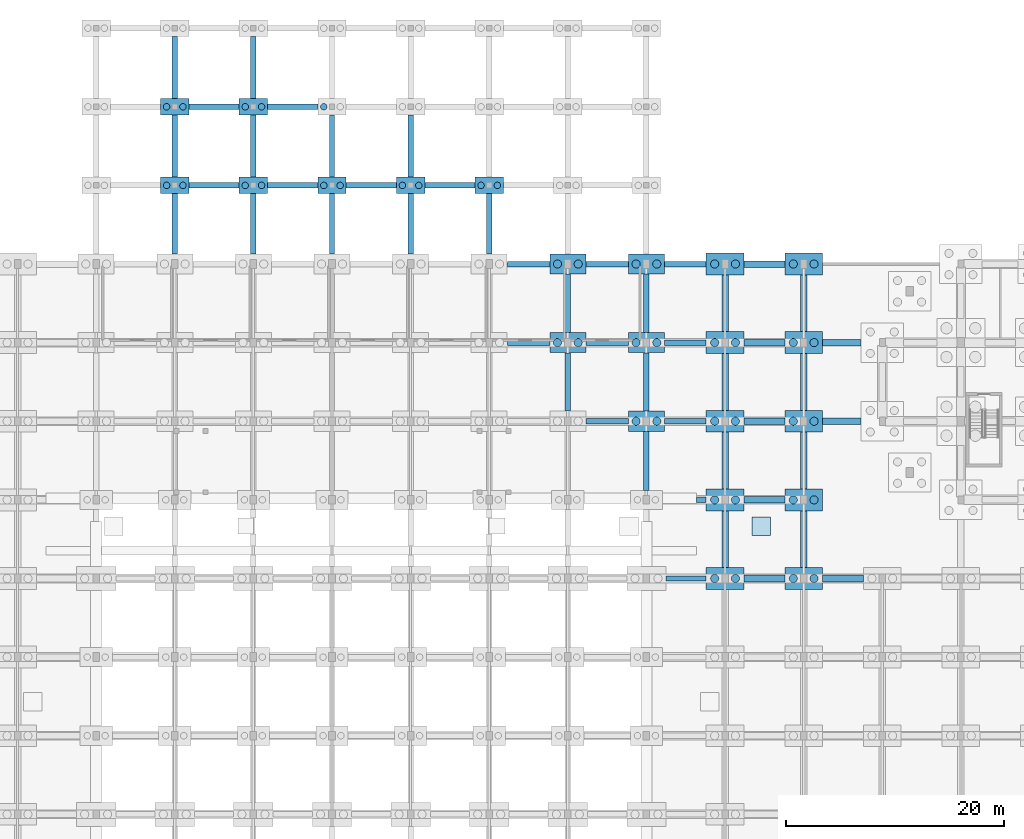
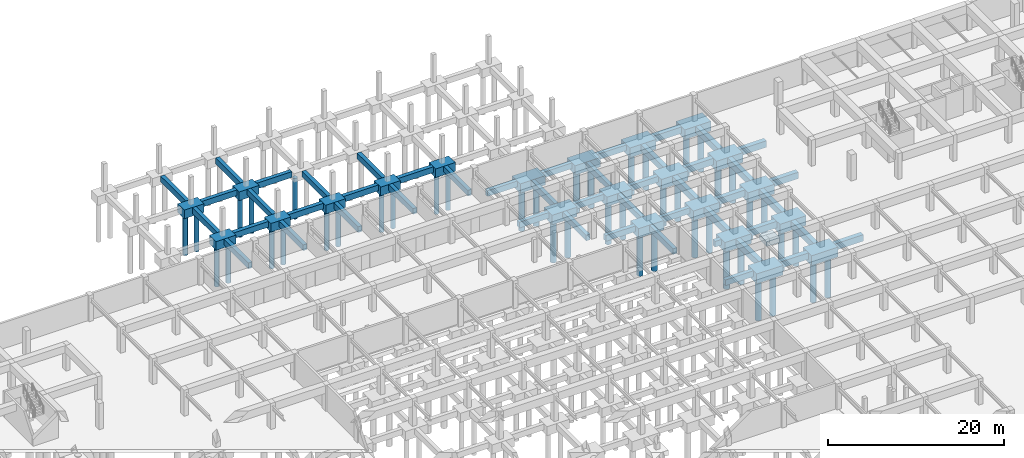
# One storey, part 11 of 36: 71 footings, 45 piles.
"""IFC4 building model written with IfcOpenShell, lengths in metres."""

import ifcopenshell
import ifcopenshell.guid

model = None  # the IFC model being written
_history = None  # IfcOwnerHistory: only IFC2X3 demands one
_inside = {}  # id of a spatial element -> (the spatial element, [elements in it])
_under = {}  # id of a project, library or spatial element -> (it, [spatial elements below it])
_declared = {}  # id of a project -> (the project, [libraries it declares])
_typed = {}  # id of a type object -> (the type object, [elements of that type])
_made_of = {}  # id of a material, layer set ... -> (it, [elements and type objects made of it])


def new_model(schema):
    """Start an empty IFC model of exactly this schema.

    Asked for "IFC4X3", IfcOpenShell would pick the latest addendum, in which some entities
    have other attributes; the version numbers below select the first issue.
    IFC2X3 requires an IfcOwnerHistory on every rooted entity: one is made here for all.
    """
    global model, _history
    if schema == "IFC4X3":
        model = ifcopenshell.file(schema_version=(4, 3, 0, 0))
    else:
        model = ifcopenshell.file(schema=schema)
    _inside.clear()
    _under.clear()
    _declared.clear()
    _typed.clear()
    _made_of.clear()
    _history = None
    if model.schema == "IFC2X3":
        org = make("IfcOrganization", Name="unknown")
        user = make(
            "IfcPersonAndOrganization",
            ThePerson=make("IfcPerson", FamilyName="unknown"),
            TheOrganization=org,
        )
        app = make(
            "IfcApplication",
            ApplicationDeveloper=org,
            Version="unknown",
            ApplicationFullName="unknown",
            ApplicationIdentifier="unknown",
        )
        _history = make(
            "IfcOwnerHistory",
            OwningUser=user,
            OwningApplication=app,
            ChangeAction="ADDED",
            CreationDate=0,
        )
    return model


def make(cls, **values):
    """One entity of the class cls with the attributes given. An attribute that is None is left unset."""
    return model.create_entity(
        cls, **{name: value for name, value in values.items() if value is not None}
    )


def rooted(cls, **values):
    """An entity with a GlobalId (a new one), such as an element, a storey or a relation."""
    return make(cls, GlobalId=ifcopenshell.guid.new(), OwnerHistory=_history, **values)


def si_unit(unit_type, name, prefix=None):
    """IfcSIUnit, for example si_unit("LENGTHUNIT", "METRE", prefix="MILLI")."""
    return make("IfcSIUnit", UnitType=unit_type, Prefix=prefix, Name=name)


def assignment(units):
    """IfcUnitAssignment: the units of a project."""
    return None if units is None else make("IfcUnitAssignment", Units=units)


def point(xyz):
    """IfcCartesianPoint."""
    return None if xyz is None else make("IfcCartesianPoint", Coordinates=xyz)


def direction(xyz):
    """IfcDirection."""
    return None if xyz is None else make("IfcDirection", DirectionRatios=xyz)


def frame(location, z_axis=None, x_axis=None):
    """IfcAxis2Placement3D, a coordinate frame: its origin and axes. An axis left out is left unset."""
    return make(
        "IfcAxis2Placement3D",
        Location=point(location),
        Axis=direction(z_axis),
        RefDirection=direction(x_axis),
    )


def frame_2d(location, x_axis=None):
    """IfcAxis2Placement2D, a coordinate frame in the plane: its origin and x axis."""
    return make(
        "IfcAxis2Placement2D", Location=point(location), RefDirection=direction(x_axis)
    )


def origin():
    """The frame at (0, 0, 0) with its axes left unset."""
    return frame((0.0, 0.0, 0.0))


def origin_2d():
    """The frame at (0, 0) in the plane with its x axis left unset."""
    return frame_2d((0.0, 0.0))


def place(relative_to, where):
    """IfcLocalPlacement: puts the frame where relative to a parent placement (None: the world)."""
    return make(
        "IfcLocalPlacement", PlacementRelTo=relative_to, RelativePlacement=where
    )


def context(
    kind, dimensions, precision=None, world=None, true_north=None, identifier=None
):
    """IfcGeometricRepresentationContext, for example the 3D "Model" context."""
    return make(
        "IfcGeometricRepresentationContext",
        ContextIdentifier=identifier,
        ContextType=kind,
        CoordinateSpaceDimension=dimensions,
        Precision=precision,
        WorldCoordinateSystem=world,
        TrueNorth=true_north,
    )


def subcontext(parent, identifier, kind, view, scale=None):
    """IfcGeometricRepresentationSubContext, for example "Body" below "Model"."""
    return make(
        "IfcGeometricRepresentationSubContext",
        ContextIdentifier=identifier,
        ContextType=kind,
        ParentContext=parent,
        TargetScale=scale,
        TargetView=view,
    )


def project(units=None, contexts=None):
    """IfcProject with its units and contexts."""
    return rooted(
        "IfcProject",
        Name="project",
        RepresentationContexts=contexts,
        UnitsInContext=assignment(units),
    )


def spatial(cls, under=None, at=None, **own):
    """A site, building, storey or space (cls), placed at a placement, below another one or the project."""
    s = rooted(cls, ObjectPlacement=at, **own)
    if under is not None:
        _under.setdefault(under.id(), (under, []))[1].append(s)
    return s


def profile(cls, at=None, kind="AREA", **sizes):
    """A parametric profile (cls). Its sizes go by their IFC names, for example OverallWidth=200.0."""
    return make(cls, ProfileType=kind, Position=at, **sizes)


def rectangle(**sizes):
    """IfcRectangleProfileDef."""
    return profile("IfcRectangleProfileDef", **sizes)


def circle(**sizes):
    """IfcCircleProfileDef."""
    return profile("IfcCircleProfileDef", **sizes)


def extrude(swept, where, along, depth):
    """IfcExtrudedAreaSolid: the profile swept, set in the frame where, extruded along a direction by depth."""
    return make(
        "IfcExtrudedAreaSolid",
        SweptArea=swept,
        Position=where,
        ExtrudedDirection=direction(along),
        Depth=depth,
    )


def shape(context_of_items, identifier, shape_type, items):
    """IfcShapeRepresentation: the items that make up one representation, for example the "Body"."""
    return make(
        "IfcShapeRepresentation",
        ContextOfItems=context_of_items,
        RepresentationIdentifier=identifier,
        RepresentationType=shape_type,
        Items=items,
    )


def material(Name=None, Category=None):
    """IfcMaterial."""
    return make("IfcMaterial", Name=Name, Category=Category)


def material_profile(
    of_material, cross_section, Name=None, Category=None, Priority=None
):
    """IfcMaterialProfile: a cross section and its material."""
    return make(
        "IfcMaterialProfile",
        Name=Name,
        Material=of_material,
        Profile=cross_section,
        Priority=Priority,
        Category=Category,
    )


def profile_set(profiles, Name=None, composite=None):
    """IfcMaterialProfileSet."""
    return make(
        "IfcMaterialProfileSet",
        Name=Name,
        MaterialProfiles=profiles,
        CompositeProfile=composite,
    )


def made_of(thing, what):
    """Note that an element or type object is made of a material, layer set ...; save() writes the relation."""
    if what is not None:
        _made_of.setdefault(what.id(), (what, []))[1].append(thing)
    return thing


def type_object(cls, material=None, **own):
    """A type object (cls), such as IfcWallType, which elements share."""
    return made_of(rooted(cls, **own), material)


def element(
    cls,
    number,
    at=None,
    inside=None,
    cuts=None,
    type_object=None,
    material=None,
    context=None,
    identifier="Body",
    shape_type=None,
    held_by="IfcProductDefinitionShape",
    body=None,
    shapes=None,
    **own,
):
    """One element of the class cls, such as IfcWall. Its Tag is "e" and its number.

    at: its placement. inside: the storey or other place that contains it. cuts: it is an
    opening in that element (IfcRelVoidsElement). A single representation is given by context,
    identifier, shape_type and body (its items); several are given by shapes. held_by: the class
    of the entity that holds the representations. save() writes the other relations.
    """
    e = rooted(cls, Tag="e%d" % number, ObjectPlacement=at, **own)
    if body is not None:
        shapes = [shape(context, identifier, shape_type, body)]
    if shapes is not None:
        e.Representation = make(held_by, Representations=shapes)
    if inside is not None:
        _inside.setdefault(inside.id(), (inside, []))[1].append(e)
    if cuts is not None:
        rooted(
            "IfcRelVoidsElement", RelatingBuildingElement=cuts, RelatedOpeningElement=e
        )
    if type_object is not None:
        _typed.setdefault(type_object.id(), (type_object, []))[1].append(e)
    return made_of(e, material)


def aggregate(whole, parts):
    """IfcRelAggregates: a whole, such as a stair, and the parts it consists of."""
    return rooted("IfcRelAggregates", RelatingObject=whole, RelatedObjects=parts)


def save(model, path):
    """Write the relations noted so far, then the file.

    IfcRelAggregates (storeys below a building ...), IfcRelContainedInSpatialStructure (elements
    in a storey), IfcRelDefinesByType, IfcRelAssociatesMaterial and IfcRelDeclares: one each for
    every whole, place, type object, material and project.
    """
    for whole, parts in _under.values():
        aggregate(whole, parts)
    for where, things in _inside.values():
        rooted(
            "IfcRelContainedInSpatialStructure",
            RelatedElements=things,
            RelatingStructure=where,
        )
    for kind, things in _typed.values():
        rooted("IfcRelDefinesByType", RelatedObjects=things, RelatingType=kind)
    for what, things in _made_of.values():
        rooted("IfcRelAssociatesMaterial", RelatedObjects=things, RelatingMaterial=what)
    for by, libraries in _declared.values():
        rooted("IfcRelDeclares", RelatingContext=by, RelatedDefinitions=libraries)
    model.write(path)


model = new_model("IFC4")

# Units and contexts
model_context = context("Model", 3, precision=1e-05, world=origin(), true_north=direction((0.0, 1.0)))
body_context = subcontext(model_context, "Body", "Model", "MODEL_VIEW")
ifc_project = project(units=[si_unit("LENGTHUNIT", "METRE"), si_unit("AREAUNIT", "SQUARE_METRE"), si_unit("VOLUMEUNIT", "CUBIC_METRE"), si_unit("PLANEANGLEUNIT", "RADIAN"), si_unit("MASSUNIT", "GRAM", prefix="KILO")], contexts=[model_context])

# Site, building, storey
site_placement = place(None, origin())
site = spatial("IfcSite", under=ifc_project, at=site_placement, CompositionType="ELEMENT")
building_placement = place(site_placement, origin())
building = spatial("IfcBuilding", under=site, at=building_placement, Name="Ochrevale Crest", CompositionType="ELEMENT")
storey_placement = place(building_placement, frame((0.0, 0.0, -3.60009765625)))
storey = spatial("IfcBuildingStorey", under=building, at=storey_placement, Name="B1", CompositionType="ELEMENT", Elevation=-3.60009765625)

# Footings
ifc_material = material(Name="Concrete C40/50", Category="concrete")
footing_type_1 = type_object("IfcFootingType", Name="CAP-PC12", PredefinedType="PILE_CAP", material=ifc_material)
for number, where, z_axis, x_axis, name in (
    (1, (115.199951171875, 64.800048828125, -1.60986328125), (0.0, 0.0, 1.0), (1.0, 0.0, 0.0), "Pile cap PC12-235"),
    (2, (115.199951171875, 72.0, -1.60986328125), (0.0, 0.0, 1.0), (1.0, 0.0, 0.0), "Pile cap PC12-236"),
    (3, (115.199951171875, 79.199951171875, -1.60986328125), (0.0, 0.0, 1.0), (1.0, 0.0, 0.0), "Pile cap PC12-237"),
    (4, (115.199951171875, 86.39990234375, -1.60986328125), (0.0, 0.0, 1.0), (1.0, 0.0, 0.0), "Pile cap PC12-238"),
    (5, (115.199951171875, 93.60009765625, -1.60986328125), (0.0, 0.0, 1.0), (1.0, 0.0, 0.0), "Pile cap PC12-239"),
    (6, (122.39990234375, 64.800048828125, -1.60986328125), (0.0, 0.0, 1.0), (1.0, 0.0, 0.0), "Pile cap PC12-247"),
    (7, (122.39990234375, 72.0, -1.60986328125), (0.0, 0.0, 1.0), (1.0, 0.0, 0.0), "Pile cap PC12-248"),
    (8, (122.39990234375, 79.199951171875, -1.60986328125), (0.0, 0.0, 1.0), (1.0, 0.0, 0.0), "Pile cap PC12-249"),
    (9, (122.39990234375, 86.39990234375, -1.60986328125), (0.0, 0.0, 1.0), (1.0, 0.0, 0.0), "Pile cap PC12-250"),
    (10, (122.39990234375, 93.60009765625, -1.60986328125), (0.0, 0.0, 1.0), (1.0, 0.0, 0.0), "Pile cap PC12-251"),
):
    element("IfcFooting", number, at=place(storey_placement, frame(where, z_axis=z_axis, x_axis=x_axis)), inside=storey, type_object=footing_type_1, Name=name, PredefinedType="PILE_CAP", context=body_context, shape_type="SweptSolid", body=[
        extrude(rectangle(XDim=3.449951171875, YDim=2.0, at=origin_2d()), origin(), (0.0, 0.0, 1.0), 1.35009765625),
    ])
footing_type_2 = type_object("IfcFootingType", Name="CAP-PC13", PredefinedType="PILE_CAP", material=ifc_material)
for number, where, z_axis, x_axis, name in (
    (11, (100.800048828125, 86.39990234375, -1.56005859375), (0.0, 0.0, 1.0), (1.0, 0.0, 0.0), "Pile cap PC13-207"),
    (12, (100.800048828125, 93.60009765625, -1.56005859375), (0.0, 0.0, 1.0), (1.0, 0.0, 0.0), "Pile cap PC13-208"),
    (13, (108.0, 79.199951171875, -1.56005859375), (0.0, 0.0, 1.0), (1.0, 0.0, 0.0), "Pile cap PC13-222"),
    (14, (108.0, 86.39990234375, -1.56005859375), (0.0, 0.0, 1.0), (1.0, 0.0, 0.0), "Pile cap PC13-223"),
    (15, (108.0, 93.60009765625, -1.56005859375), (0.0, 0.0, 1.0), (1.0, 0.0, 0.0), "Pile cap PC13-224"),
):
    element("IfcFooting", number, at=place(storey_placement, frame(where, z_axis=z_axis, x_axis=x_axis)), inside=storey, type_object=footing_type_2, Name=name, PredefinedType="PILE_CAP", context=body_context, shape_type="SweptSolid", body=[
        extrude(rectangle(XDim=3.300048828125, YDim=1.85009765625, at=origin_2d()), origin(), (0.0, 0.0, 1.0), 1.300048828125),
    ])
footing_type_3 = type_object("IfcFootingType", Name="CAP-PC15", PredefinedType="PILE_CAP", material=ifc_material)
for number, where, z_axis, x_axis, name in (
    (16, (64.800048828125, 100.800048828125, -1.4599609375), (0.0, 0.0, 1.0), (1.0, 0.0, 0.0), "Pile cap PC15-127"),
    (17, (64.800048828125, 108.0, -1.4599609375), (0.0, 0.0, 1.0), (1.0, 0.0, 0.0), "Pile cap PC15-128"),
    (18, (72.0, 100.800048828125, -1.4599609375), (0.0, 0.0, 1.0), (1.0, 0.0, 0.0), "Pile cap PC15-143"),
    (19, (72.0, 108.0, -1.4599609375), (0.0, 0.0, 1.0), (1.0, 0.0, 0.0), "Pile cap PC15-144"),
    (20, (79.199951171875, 100.800048828125, -1.4599609375), (0.0, 0.0, 1.0), (1.0, 0.0, 0.0), "Pile cap PC15-160"),
    (21, (86.39990234375, 100.800048828125, -1.4599609375), (0.0, 0.0, 1.0), (1.0, 0.0, 0.0), "Pile cap PC15-177"),
    (22, (93.60009765625, 100.800048828125, -1.4599609375), (0.0, 0.0, 1.0), (1.0, 0.0, 0.0), "Pile cap PC15-193"),
):
    element("IfcFooting", number, at=place(storey_placement, frame(where, z_axis=z_axis, x_axis=x_axis)), inside=storey, type_object=footing_type_3, Name=name, PredefinedType="PILE_CAP", context=body_context, shape_type="SweptSolid", body=[
        extrude(rectangle(XDim=2.60009765625, YDim=1.5, at=origin_2d()), origin(), (0.0, 0.0, 1.0), 1.199951171875),
    ])
ifc_material_profile_1 = material_profile(ifc_material, rectangle(XDim=0.5, YDim=0.800048828125, at=origin_2d()), Name="GB 500x800")
ifc_profile_set_1 = profile_set([ifc_material_profile_1], Name="Concrete C40/50")
footing_type_4 = type_object("IfcFootingType", Name="FTG-GB500x800", PredefinedType="FOOTING_BEAM", material=ifc_profile_set_1)
footing_1_placement = place(storey_placement, frame((64.800048828125, 94.527099609375, -0.659912109375), z_axis=(0.0, 1.0, 0.0), x_axis=(-1.0, 0.0, 0.0)))
element("IfcFooting", 23, at=footing_1_placement, inside=storey, type_object=footing_type_4, Name="Foundation tie beam GB2-219", PredefinedType="FOOTING_BEAM", context=body_context, shape_type="SweptSolid", body=[
    extrude(rectangle(XDim=0.5, YDim=0.800048828125, at=origin_2d()), origin(), (0.0, 0.0, 1.0), 5.52099609375),
])
footing_2_placement = place(storey_placement, frame((66.10205078125, 100.800048828125, -0.659912109375), z_axis=(1.0, 0.0, 0.0), x_axis=(0.0, 1.0, 0.0)))
element("IfcFooting", 24, at=footing_2_placement, inside=storey, type_object=footing_type_4, Name="Foundation tie beam GB2-220", PredefinedType="FOOTING_BEAM", context=body_context, shape_type="SweptSolid", body=[
    extrude(rectangle(XDim=0.5, YDim=0.800048828125, at=origin_2d()), origin(), (0.0, 0.0, 1.0), 4.595947265625),
])
footing_3_placement = place(storey_placement, frame((64.800048828125, 101.552001953125, -0.659912109375), z_axis=(0.0, 1.0, 0.0), x_axis=(-1.0, 0.0, 0.0)))
element("IfcFooting", 25, at=footing_3_placement, inside=storey, type_object=footing_type_4, Name="Foundation tie beam GB2-221", PredefinedType="FOOTING_BEAM", context=body_context, shape_type="SweptSolid", body=[
    extrude(rectangle(XDim=0.5, YDim=0.800048828125, at=origin_2d()), origin(), (0.0, 0.0, 1.0), 5.696044921875),
])
footing_4_placement = place(storey_placement, frame((66.10205078125, 108.0, -0.659912109375), z_axis=(1.0, 0.0, 0.0), x_axis=(0.0, 1.0, 0.0)))
element("IfcFooting", 26, at=footing_4_placement, inside=storey, type_object=footing_type_4, Name="Foundation tie beam GB2-222", PredefinedType="FOOTING_BEAM", context=body_context, shape_type="SweptSolid", body=[
    extrude(rectangle(XDim=0.5, YDim=0.800048828125, at=origin_2d()), origin(), (0.0, 0.0, 1.0), 4.595947265625),
])
footing_5_placement = place(storey_placement, frame((64.800048828125, 108.751953125, -0.659912109375), z_axis=(0.0, 1.0, 0.0), x_axis=(-1.0, 0.0, 0.0)))
element("IfcFooting", 27, at=footing_5_placement, inside=storey, type_object=footing_type_4, Name="Foundation tie beam GB2-223", PredefinedType="FOOTING_BEAM", context=body_context, shape_type="SweptSolid", body=[
    extrude(rectangle(XDim=0.5, YDim=0.800048828125, at=origin_2d()), origin(), (0.0, 0.0, 1.0), 5.696044921875),
])
footing_6_placement = place(storey_placement, frame((72.0, 94.527099609375, -0.659912109375), z_axis=(0.0, 1.0, 0.0), x_axis=(-1.0, 0.0, 0.0)))
element("IfcFooting", 28, at=footing_6_placement, inside=storey, type_object=footing_type_4, Name="Foundation tie beam GB2-250", PredefinedType="FOOTING_BEAM", context=body_context, shape_type="SweptSolid", body=[
    extrude(rectangle(XDim=0.5, YDim=0.800048828125, at=origin_2d()), origin(), (0.0, 0.0, 1.0), 5.52099609375),
])
footing_7_placement = place(storey_placement, frame((73.302001953125, 100.800048828125, -0.659912109375), z_axis=(1.0, 0.0, 0.0), x_axis=(0.0, 1.0, 0.0)))
element("IfcFooting", 29, at=footing_7_placement, inside=storey, type_object=footing_type_4, Name="Foundation tie beam GB2-251", PredefinedType="FOOTING_BEAM", context=body_context, shape_type="SweptSolid", body=[
    extrude(rectangle(XDim=0.5, YDim=0.800048828125, at=origin_2d()), origin(), (0.0, 0.0, 1.0), 4.595947265625),
])
footing_8_placement = place(storey_placement, frame((72.0, 101.552001953125, -0.659912109375), z_axis=(0.0, 1.0, 0.0), x_axis=(-1.0, 0.0, 0.0)))
element("IfcFooting", 30, at=footing_8_placement, inside=storey, type_object=footing_type_4, Name="Foundation tie beam GB2-252", PredefinedType="FOOTING_BEAM", context=body_context, shape_type="SweptSolid", body=[
    extrude(rectangle(XDim=0.5, YDim=0.800048828125, at=origin_2d()), origin(), (0.0, 0.0, 1.0), 5.696044921875),
])
footing_9_placement = place(storey_placement, frame((73.302001953125, 108.0, -0.659912109375), z_axis=(1.0, 0.0, 0.0), x_axis=(0.0, 1.0, 0.0)))
element("IfcFooting", 31, at=footing_9_placement, inside=storey, type_object=footing_type_4, Name="Foundation tie beam GB2-253", PredefinedType="FOOTING_BEAM", context=body_context, shape_type="SweptSolid", body=[
    extrude(rectangle(XDim=0.5, YDim=0.800048828125, at=origin_2d()), origin(), (0.0, 0.0, 1.0), 4.595947265625),
])
footing_10_placement = place(storey_placement, frame((72.0, 108.751953125, -0.659912109375), z_axis=(0.0, 1.0, 0.0), x_axis=(-1.0, 0.0, 0.0)))
element("IfcFooting", 32, at=footing_10_placement, inside=storey, type_object=footing_type_4, Name="Foundation tie beam GB2-254", PredefinedType="FOOTING_BEAM", context=body_context, shape_type="SweptSolid", body=[
    extrude(rectangle(XDim=0.5, YDim=0.800048828125, at=origin_2d()), origin(), (0.0, 0.0, 1.0), 5.696044921875),
])
footing_11_placement = place(storey_placement, frame((79.199951171875, 94.527099609375, -0.659912109375), z_axis=(0.0, 1.0, 0.0), x_axis=(-1.0, 0.0, 0.0)))
element("IfcFooting", 33, at=footing_11_placement, inside=storey, type_object=footing_type_4, Name="Foundation tie beam GB2-283", PredefinedType="FOOTING_BEAM", context=body_context, shape_type="SweptSolid", body=[
    extrude(rectangle(XDim=0.5, YDim=0.800048828125, at=origin_2d()), origin(), (0.0, 0.0, 1.0), 5.52099609375),
])
footing_12_placement = place(storey_placement, frame((80.501953125, 100.800048828125, -0.659912109375), z_axis=(1.0, 0.0, 0.0), x_axis=(0.0, 1.0, 0.0)))
element("IfcFooting", 34, at=footing_12_placement, inside=storey, type_object=footing_type_4, Name="Foundation tie beam GB2-284", PredefinedType="FOOTING_BEAM", context=body_context, shape_type="SweptSolid", body=[
    extrude(rectangle(XDim=0.5, YDim=0.800048828125, at=origin_2d()), origin(), (0.0, 0.0, 1.0), 4.595947265625),
])
footing_13_placement = place(storey_placement, frame((79.199951171875, 101.552001953125, -0.659912109375), z_axis=(0.0, 1.0, 0.0), x_axis=(-1.0, 0.0, 0.0)))
element("IfcFooting", 35, at=footing_13_placement, inside=storey, type_object=footing_type_4, Name="Foundation tie beam GB2-285", PredefinedType="FOOTING_BEAM", context=body_context, shape_type="SweptSolid", body=[
    extrude(rectangle(XDim=0.5, YDim=0.800048828125, at=origin_2d()), origin(), (0.0, 0.0, 1.0), 5.696044921875),
])
footing_14_placement = place(storey_placement, frame((86.39990234375, 94.527099609375, -0.659912109375), z_axis=(0.0, 1.0, 0.0), x_axis=(-1.0, 0.0, 0.0)))
element("IfcFooting", 36, at=footing_14_placement, inside=storey, type_object=footing_type_4, Name="Foundation tie beam GB2-315", PredefinedType="FOOTING_BEAM", context=body_context, shape_type="SweptSolid", body=[
    extrude(rectangle(XDim=0.5, YDim=0.800048828125, at=origin_2d()), origin(), (0.0, 0.0, 1.0), 5.52099609375),
])
footing_15_placement = place(storey_placement, frame((87.701904296875, 100.800048828125, -0.659912109375), z_axis=(1.0, 0.0, 0.0), x_axis=(0.0, 1.0, 0.0)))
element("IfcFooting", 37, at=footing_15_placement, inside=storey, type_object=footing_type_4, Name="Foundation tie beam GB2-316", PredefinedType="FOOTING_BEAM", context=body_context, shape_type="SweptSolid", body=[
    extrude(rectangle(XDim=0.5, YDim=0.800048828125, at=origin_2d()), origin(), (0.0, 0.0, 1.0), 4.59619140625),
])
footing_16_placement = place(storey_placement, frame((86.39990234375, 101.552001953125, -0.659912109375), z_axis=(0.0, 1.0, 0.0), x_axis=(-1.0, 0.0, 0.0)))
element("IfcFooting", 38, at=footing_16_placement, inside=storey, type_object=footing_type_4, Name="Foundation tie beam GB2-317", PredefinedType="FOOTING_BEAM", context=body_context, shape_type="SweptSolid", body=[
    extrude(rectangle(XDim=0.5, YDim=0.800048828125, at=origin_2d()), origin(), (0.0, 0.0, 1.0), 5.696044921875),
])
for number, where, z_axis, x_axis, name in (
    (39, (95.251953125, 86.39990234375, -0.659912109375), (1.0, 0.0, 0.0), (0.0, 1.0, 0.0), "Foundation tie beam GB2-343"),
    (40, (95.251953125, 93.60009765625, -0.659912109375), (1.0, 0.0, 0.0), (0.0, 1.0, 0.0), "Foundation tie beam GB2-345"),
):
    element("IfcFooting", number, at=place(storey_placement, frame(where, z_axis=z_axis, x_axis=x_axis)), inside=storey, type_object=footing_type_4, Name=name, PredefinedType="FOOTING_BEAM", context=body_context, shape_type="SweptSolid", body=[
        extrude(rectangle(XDim=0.5, YDim=0.800048828125, at=origin_2d()), origin(), (0.0, 0.0, 1.0), 3.89599609375),
    ])
footing_17_placement = place(storey_placement, frame((93.60009765625, 94.527099609375, -0.659912109375), z_axis=(0.0, 1.0, 0.0), x_axis=(-1.0, 0.0, 0.0)))
element("IfcFooting", 41, at=footing_17_placement, inside=storey, type_object=footing_type_4, Name="Foundation tie beam GB2-346", PredefinedType="FOOTING_BEAM", context=body_context, shape_type="SweptSolid", body=[
    extrude(rectangle(XDim=0.5, YDim=0.800048828125, at=origin_2d()), origin(), (0.0, 0.0, 1.0), 5.52099609375),
])
footing_18_placement = place(storey_placement, frame((102.451904296875, 79.199951171875, -0.659912109375), z_axis=(1.0, 0.0, 0.0), x_axis=(0.0, 1.0, 0.0)))
element("IfcFooting", 42, at=footing_18_placement, inside=storey, type_object=footing_type_4, Name="Foundation tie beam GB2-372", PredefinedType="FOOTING_BEAM", context=body_context, shape_type="SweptSolid", body=[
    extrude(rectangle(XDim=0.5, YDim=0.800048828125, at=origin_2d()), origin(), (0.0, 0.0, 1.0), 3.89599609375),
])
footing_19_placement = place(storey_placement, frame((100.800048828125, 80.126953125, -0.659912109375), z_axis=(0.0, 1.0, 0.0), x_axis=(-1.0, 0.0, 0.0)))
element("IfcFooting", 43, at=footing_19_placement, inside=storey, type_object=footing_type_4, Name="Foundation tie beam GB2-373", PredefinedType="FOOTING_BEAM", context=body_context, shape_type="SweptSolid", body=[
    extrude(rectangle(XDim=0.5, YDim=0.800048828125, at=origin_2d()), origin(), (0.0, 0.0, 1.0), 5.345947265625),
])
footing_20_placement = place(storey_placement, frame((102.451904296875, 86.39990234375, -0.659912109375), z_axis=(1.0, 0.0, 0.0), x_axis=(0.0, 1.0, 0.0)))
element("IfcFooting", 44, at=footing_20_placement, inside=storey, type_object=footing_type_4, Name="Foundation tie beam GB2-374", PredefinedType="FOOTING_BEAM", context=body_context, shape_type="SweptSolid", body=[
    extrude(rectangle(XDim=0.5, YDim=0.800048828125, at=origin_2d()), origin(), (0.0, 0.0, 1.0), 3.89599609375),
])
footing_21_placement = place(storey_placement, frame((100.800048828125, 87.326904296875, -0.659912109375), z_axis=(0.0, 1.0, 0.0), x_axis=(-1.0, 0.0, 0.0)))
element("IfcFooting", 45, at=footing_21_placement, inside=storey, type_object=footing_type_4, Name="Foundation tie beam GB2-375", PredefinedType="FOOTING_BEAM", context=body_context, shape_type="SweptSolid", body=[
    extrude(rectangle(XDim=0.5, YDim=0.800048828125, at=origin_2d()), origin(), (0.0, 0.0, 1.0), 5.34619140625),
])
footing_22_placement = place(storey_placement, frame((102.451904296875, 93.60009765625, -0.659912109375), z_axis=(1.0, 0.0, 0.0), x_axis=(0.0, 1.0, 0.0)))
element("IfcFooting", 46, at=footing_22_placement, inside=storey, type_object=footing_type_4, Name="Foundation tie beam GB2-376", PredefinedType="FOOTING_BEAM", context=body_context, shape_type="SweptSolid", body=[
    extrude(rectangle(XDim=0.5, YDim=0.800048828125, at=origin_2d()), origin(), (0.0, 0.0, 1.0), 3.89599609375),
])
footing_23_placement = place(storey_placement, frame((109.802001953125, 64.800048828125, -0.659912109375), z_axis=(1.0, 0.0, 0.0), x_axis=(0.0, 1.0, 0.0)))
element("IfcFooting", 47, at=footing_23_placement, inside=storey, type_object=footing_type_4, Name="Foundation tie beam GB2-398", PredefinedType="FOOTING_BEAM", context=body_context, shape_type="SweptSolid", body=[
    extrude(rectangle(XDim=0.5, YDim=0.800048828125, at=origin_2d()), origin(), (0.0, 0.0, 1.0), 3.6708984375),
])
footing_24_placement = place(storey_placement, frame((112.60205078125, 72.0, -0.659912109375), z_axis=(1.0, 0.0, 0.0), x_axis=(0.0, 1.0, 0.0)))
element("IfcFooting", 48, at=footing_24_placement, inside=storey, type_object=footing_type_4, Name="Foundation tie beam GB2-400", PredefinedType="FOOTING_BEAM", context=body_context, shape_type="SweptSolid", body=[
    extrude(rectangle(XDim=0.5, YDim=0.800048828125, at=origin_2d()), origin(), (0.0, 0.0, 1.0), 0.870849609375),
])
footing_25_placement = place(storey_placement, frame((108.0, 72.876953125, -0.659912109375), z_axis=(0.0, 1.0, 0.0), x_axis=(-1.0, 0.0, 0.0)))
element("IfcFooting", 49, at=footing_25_placement, inside=storey, type_object=footing_type_4, Name="Foundation tie beam GB2-401", PredefinedType="FOOTING_BEAM", context=body_context, shape_type="SweptSolid", body=[
    extrude(rectangle(XDim=0.5, YDim=0.800048828125, at=origin_2d()), origin(), (0.0, 0.0, 1.0), 5.39599609375),
])
footing_26_placement = place(storey_placement, frame((109.652099609375, 79.199951171875, -0.659912109375), z_axis=(1.0, 0.0, 0.0), x_axis=(0.0, 1.0, 0.0)))
element("IfcFooting", 50, at=footing_26_placement, inside=storey, type_object=footing_type_4, Name="Foundation tie beam GB2-402", PredefinedType="FOOTING_BEAM", context=body_context, shape_type="SweptSolid", body=[
    extrude(rectangle(XDim=0.5, YDim=0.800048828125, at=origin_2d()), origin(), (0.0, 0.0, 1.0), 3.82080078125),
])
footing_27_placement = place(storey_placement, frame((108.0, 80.126953125, -0.659912109375), z_axis=(0.0, 1.0, 0.0), x_axis=(-1.0, 0.0, 0.0)))
element("IfcFooting", 51, at=footing_27_placement, inside=storey, type_object=footing_type_4, Name="Foundation tie beam GB2-403", PredefinedType="FOOTING_BEAM", context=body_context, shape_type="SweptSolid", body=[
    extrude(rectangle(XDim=0.5, YDim=0.800048828125, at=origin_2d()), origin(), (0.0, 0.0, 1.0), 5.345947265625),
])
footing_28_placement = place(storey_placement, frame((109.652099609375, 86.39990234375, -0.659912109375), z_axis=(1.0, 0.0, 0.0), x_axis=(0.0, 1.0, 0.0)))
element("IfcFooting", 52, at=footing_28_placement, inside=storey, type_object=footing_type_4, Name="Foundation tie beam GB2-404", PredefinedType="FOOTING_BEAM", context=body_context, shape_type="SweptSolid", body=[
    extrude(rectangle(XDim=0.5, YDim=0.800048828125, at=origin_2d()), origin(), (0.0, 0.0, 1.0), 3.82080078125),
])
footing_29_placement = place(storey_placement, frame((108.0, 87.326904296875, -0.659912109375), z_axis=(0.0, 1.0, 0.0), x_axis=(-1.0, 0.0, 0.0)))
element("IfcFooting", 53, at=footing_29_placement, inside=storey, type_object=footing_type_4, Name="Foundation tie beam GB2-405", PredefinedType="FOOTING_BEAM", context=body_context, shape_type="SweptSolid", body=[
    extrude(rectangle(XDim=0.5, YDim=0.800048828125, at=origin_2d()), origin(), (0.0, 0.0, 1.0), 5.34619140625),
])
footing_30_placement = place(storey_placement, frame((109.652099609375, 93.60009765625, -0.659912109375), z_axis=(1.0, 0.0, 0.0), x_axis=(0.0, 1.0, 0.0)))
element("IfcFooting", 54, at=footing_30_placement, inside=storey, type_object=footing_type_4, Name="Foundation tie beam GB2-406", PredefinedType="FOOTING_BEAM", context=body_context, shape_type="SweptSolid", body=[
    extrude(rectangle(XDim=0.5, YDim=0.800048828125, at=origin_2d()), origin(), (0.0, 0.0, 1.0), 3.82080078125),
])
ifc_material_profile_2 = material_profile(ifc_material, rectangle(XDim=0.60009765625, YDim=0.89990234375, at=origin_2d()), Name="GB 600x900")
ifc_profile_set_2 = profile_set([ifc_material_profile_2], Name="Concrete C40/50")
footing_type_5 = type_object("IfcFootingType", Name="FTG-GB600x900", PredefinedType="FOOTING_BEAM", material=ifc_profile_set_2)
footing_31_placement = place(storey_placement, frame((116.927001953125, 64.800048828125, -0.7099609375), z_axis=(1.0, 0.0, 0.0), x_axis=(0.0, 1.0, 0.0)))
element("IfcFooting", 55, at=footing_31_placement, inside=storey, type_object=footing_type_5, Name="Foundation tie beam GB1-424", PredefinedType="FOOTING_BEAM", context=body_context, shape_type="SweptSolid", body=[
    extrude(rectangle(XDim=0.60009765625, YDim=0.89990234375, at=origin_2d()), origin(), (0.0, 0.0, 1.0), 3.74609375),
])
footing_32_placement = place(storey_placement, frame((115.199951171875, 65.802001953125, -0.7099609375), z_axis=(0.0, 1.0, 0.0), x_axis=(-1.0, 0.0, 0.0)))
element("IfcFooting", 56, at=footing_32_placement, inside=storey, type_object=footing_type_5, Name="Foundation tie beam GB1-425", PredefinedType="FOOTING_BEAM", context=body_context, shape_type="SweptSolid", body=[
    extrude(rectangle(XDim=0.60009765625, YDim=0.89990234375, at=origin_2d()), origin(), (0.0, 0.0, 1.0), 5.196044921875),
])
footing_33_placement = place(storey_placement, frame((116.927001953125, 72.0, -0.7099609375), z_axis=(1.0, 0.0, 0.0), x_axis=(0.0, 1.0, 0.0)))
element("IfcFooting", 57, at=footing_33_placement, inside=storey, type_object=footing_type_5, Name="Foundation tie beam GB1-426", PredefinedType="FOOTING_BEAM", context=body_context, shape_type="SweptSolid", body=[
    extrude(rectangle(XDim=0.60009765625, YDim=0.89990234375, at=origin_2d()), origin(), (0.0, 0.0, 1.0), 3.74609375),
])
footing_34_placement = place(storey_placement, frame((115.199951171875, 73.001953125, -0.7099609375), z_axis=(0.0, 1.0, 0.0), x_axis=(-1.0, 0.0, 0.0)))
element("IfcFooting", 58, at=footing_34_placement, inside=storey, type_object=footing_type_5, Name="Foundation tie beam GB1-427", PredefinedType="FOOTING_BEAM", context=body_context, shape_type="SweptSolid", body=[
    extrude(rectangle(XDim=0.60009765625, YDim=0.89990234375, at=origin_2d()), origin(), (0.0, 0.0, 1.0), 5.196044921875),
])
footing_35_placement = place(storey_placement, frame((116.927001953125, 79.199951171875, -0.7099609375), z_axis=(1.0, 0.0, 0.0), x_axis=(0.0, 1.0, 0.0)))
element("IfcFooting", 59, at=footing_35_placement, inside=storey, type_object=footing_type_5, Name="Foundation tie beam GB1-428", PredefinedType="FOOTING_BEAM", context=body_context, shape_type="SweptSolid", body=[
    extrude(rectangle(XDim=0.60009765625, YDim=0.89990234375, at=origin_2d()), origin(), (0.0, 0.0, 1.0), 3.74609375),
])
footing_36_placement = place(storey_placement, frame((115.199951171875, 80.201904296875, -0.7099609375), z_axis=(0.0, 1.0, 0.0), x_axis=(-1.0, 0.0, 0.0)))
element("IfcFooting", 60, at=footing_36_placement, inside=storey, type_object=footing_type_5, Name="Foundation tie beam GB1-429", PredefinedType="FOOTING_BEAM", context=body_context, shape_type="SweptSolid", body=[
    extrude(rectangle(XDim=0.60009765625, YDim=0.89990234375, at=origin_2d()), origin(), (0.0, 0.0, 1.0), 5.196044921875),
])
footing_37_placement = place(storey_placement, frame((116.927001953125, 86.39990234375, -0.7099609375), z_axis=(1.0, 0.0, 0.0), x_axis=(0.0, 1.0, 0.0)))
element("IfcFooting", 61, at=footing_37_placement, inside=storey, type_object=footing_type_5, Name="Foundation tie beam GB1-430", PredefinedType="FOOTING_BEAM", context=body_context, shape_type="SweptSolid", body=[
    extrude(rectangle(XDim=0.60009765625, YDim=0.89990234375, at=origin_2d()), origin(), (0.0, 0.0, 1.0), 3.74609375),
])
footing_38_placement = place(storey_placement, frame((115.199951171875, 87.402099609375, -0.7099609375), z_axis=(0.0, 1.0, 0.0), x_axis=(-1.0, 0.0, 0.0)))
element("IfcFooting", 62, at=footing_38_placement, inside=storey, type_object=footing_type_5, Name="Foundation tie beam GB1-431", PredefinedType="FOOTING_BEAM", context=body_context, shape_type="SweptSolid", body=[
    extrude(rectangle(XDim=0.60009765625, YDim=0.89990234375, at=origin_2d()), origin(), (0.0, 0.0, 1.0), 5.19580078125),
])
for number, where, z_axis, x_axis, name in (
    (63, (116.927001953125, 93.60009765625, -0.7099609375), (1.0, 0.0, 0.0), (0.0, 1.0, 0.0), "Foundation tie beam GB1-432"),
    (64, (124.126953125, 64.800048828125, -0.7099609375), (1.0, 0.0, 0.0), (0.0, 1.0, 0.0), "Foundation tie beam GB1-445"),
):
    element("IfcFooting", number, at=place(storey_placement, frame(where, z_axis=z_axis, x_axis=x_axis)), inside=storey, type_object=footing_type_5, Name=name, PredefinedType="FOOTING_BEAM", context=body_context, shape_type="SweptSolid", body=[
        extrude(rectangle(XDim=0.60009765625, YDim=0.89990234375, at=origin_2d()), origin(), (0.0, 0.0, 1.0), 3.74609375),
    ])
for number, where, z_axis, x_axis, name in (
    (65, (122.39990234375, 65.802001953125, -0.7099609375), (0.0, 1.0, 0.0), (-1.0, 0.0, 0.0), "Foundation tie beam GB1-446"),
    (66, (122.39990234375, 73.001953125, -0.7099609375), (0.0, 1.0, 0.0), (-1.0, 0.0, 0.0), "Foundation tie beam GB1-447"),
):
    element("IfcFooting", number, at=place(storey_placement, frame(where, z_axis=z_axis, x_axis=x_axis)), inside=storey, type_object=footing_type_5, Name=name, PredefinedType="FOOTING_BEAM", context=body_context, shape_type="SweptSolid", body=[
        extrude(rectangle(XDim=0.60009765625, YDim=0.89990234375, at=origin_2d()), origin(), (0.0, 0.0, 1.0), 5.196044921875),
    ])
footing_39_placement = place(storey_placement, frame((124.126953125, 79.199951171875, -0.7099609375), z_axis=(1.0, 0.0, 0.0), x_axis=(0.0, 1.0, 0.0)))
element("IfcFooting", 67, at=footing_39_placement, inside=storey, type_object=footing_type_5, Name="Foundation tie beam GB1-448", PredefinedType="FOOTING_BEAM", context=body_context, shape_type="SweptSolid", body=[
    extrude(rectangle(XDim=0.60009765625, YDim=0.89990234375, at=origin_2d()), origin(), (0.0, 0.0, 1.0), 3.52099609375),
])
footing_40_placement = place(storey_placement, frame((122.39990234375, 80.201904296875, -0.7099609375), z_axis=(0.0, 1.0, 0.0), x_axis=(-1.0, 0.0, 0.0)))
element("IfcFooting", 68, at=footing_40_placement, inside=storey, type_object=footing_type_5, Name="Foundation tie beam GB1-449", PredefinedType="FOOTING_BEAM", context=body_context, shape_type="SweptSolid", body=[
    extrude(rectangle(XDim=0.60009765625, YDim=0.89990234375, at=origin_2d()), origin(), (0.0, 0.0, 1.0), 5.196044921875),
])
footing_41_placement = place(storey_placement, frame((124.126953125, 86.39990234375, -0.7099609375), z_axis=(1.0, 0.0, 0.0), x_axis=(0.0, 1.0, 0.0)))
element("IfcFooting", 69, at=footing_41_placement, inside=storey, type_object=footing_type_5, Name="Foundation tie beam GB1-450", PredefinedType="FOOTING_BEAM", context=body_context, shape_type="SweptSolid", body=[
    extrude(rectangle(XDim=0.60009765625, YDim=0.89990234375, at=origin_2d()), origin(), (0.0, 0.0, 1.0), 3.52099609375),
])
footing_42_placement = place(storey_placement, frame((122.39990234375, 87.402099609375, -0.7099609375), z_axis=(0.0, 1.0, 0.0), x_axis=(-1.0, 0.0, 0.0)))
element("IfcFooting", 70, at=footing_42_placement, inside=storey, type_object=footing_type_5, Name="Foundation tie beam GB1-451", PredefinedType="FOOTING_BEAM", context=body_context, shape_type="SweptSolid", body=[
    extrude(rectangle(XDim=0.60009765625, YDim=0.89990234375, at=origin_2d()), origin(), (0.0, 0.0, 1.0), 5.19580078125),
])
footing_type_6 = type_object("IfcFootingType", Name="FTG-PAD03", PredefinedType="PAD_FOOTING", material=ifc_material)
footing_43_placement = place(storey_placement, frame((118.5, 69.60009765625, -0.909912109375), z_axis=(0.0, 0.0, 1.0), x_axis=(1.0, 0.0, 0.0)))
element("IfcFooting", 71, at=footing_43_placement, inside=storey, type_object=footing_type_6, Name="Pad footing PF03 (118.5,69.6)", PredefinedType="PAD_FOOTING", context=body_context, shape_type="SweptSolid", body=[
    extrude(rectangle(XDim=1.699951171875, YDim=1.699951171875, at=origin_2d()), origin(), (0.0, 0.0, 1.0), 0.64990234375),
])

# Piles
ifc_material_profile_3 = material_profile(ifc_material, circle(Radius=0.300048828125, at=origin_2d()), Name="BORED PILE 600")
ifc_profile_set_3 = profile_set([ifc_material_profile_3], Name="Concrete C40/50")
pile_type_1 = type_object("IfcPileType", Name="PILE-BP600", PredefinedType="BORED", material=ifc_profile_set_3)
for number, where, z_axis, x_axis, name in (
    (72, (64.050048828125, 100.800048828125, -1.35986328125), (0.0, 0.0, -1.0), (1.0, 0.0, 0.0), "Bored pile P1-127-1"),
    (73, (65.550048828125, 100.800048828125, -1.35986328125), (0.0, 0.0, -1.0), (1.0, 0.0, 0.0), "Bored pile P1-127-2"),
    (74, (64.050048828125, 108.0, -1.35986328125), (0.0, 0.0, -1.0), (1.0, 0.0, 0.0), "Bored pile P1-128-1"),
    (75, (65.550048828125, 108.0, -1.35986328125), (0.0, 0.0, -1.0), (1.0, 0.0, 0.0), "Bored pile P1-128-2"),
    (76, (71.25, 100.800048828125, -1.35986328125), (0.0, 0.0, -1.0), (1.0, 0.0, 0.0), "Bored pile P1-143-1"),
    (77, (72.75, 100.800048828125, -1.35986328125), (0.0, 0.0, -1.0), (1.0, 0.0, 0.0), "Bored pile P1-143-2"),
    (78, (71.25, 108.0, -1.35986328125), (0.0, 0.0, -1.0), (1.0, 0.0, 0.0), "Bored pile P1-144-1"),
    (79, (72.75, 108.0, -1.35986328125), (0.0, 0.0, -1.0), (1.0, 0.0, 0.0), "Bored pile P1-144-2"),
    (80, (78.449951171875, 100.800048828125, -1.35986328125), (0.0, 0.0, -1.0), (1.0, 0.0, 0.0), "Bored pile P1-160-1"),
    (81, (79.949951171875, 100.800048828125, -1.35986328125), (0.0, 0.0, -1.0), (1.0, 0.0, 0.0), "Bored pile P1-160-2"),
    (82, (78.449951171875, 108.0, -1.35986328125), (0.0, 0.0, -1.0), (1.0, 0.0, 0.0), "Bored pile P1-161-1"),
    (83, (85.64990234375, 100.800048828125, -1.35986328125), (0.0, 0.0, -1.0), (1.0, 0.0, 0.0), "Bored pile P1-177-1"),
    (84, (87.14990234375, 100.800048828125, -1.35986328125), (0.0, 0.0, -1.0), (1.0, 0.0, 0.0), "Bored pile P1-177-2"),
    (85, (92.85009765625, 100.800048828125, -1.35986328125), (0.0, 0.0, -1.0), (1.0, 0.0, 0.0), "Bored pile P1-193-1"),
    (86, (94.35009765625, 100.800048828125, -1.35986328125), (0.0, 0.0, -1.0), (1.0, 0.0, 0.0), "Bored pile P1-193-2"),
):
    element("IfcPile", number, at=place(storey_placement, frame(where, z_axis=z_axis, x_axis=x_axis)), inside=storey, type_object=pile_type_1, Name=name, PredefinedType="BORED", context=body_context, shape_type="SweptSolid", body=[
        extrude(circle(Radius=0.300048828125, at=origin_2d()), origin(), (0.0, 0.0, 1.0), 5.639892578125),
    ])
ifc_material_profile_4 = material_profile(ifc_material, circle(Radius=0.375, at=origin_2d()), Name="BORED PILE 750")
ifc_profile_set_4 = profile_set([ifc_material_profile_4], Name="Concrete C40/50")
pile_type_2 = type_object("IfcPileType", Name="PILE-BP750", PredefinedType="BORED", material=ifc_profile_set_4)
for number, where, z_axis, x_axis, name in (
    (87, (99.85009765625, 86.39990234375, -1.4599609375), (0.0, 0.0, -1.0), (1.0, 0.0, 0.0), "Bored pile P2-207-1"),
    (88, (101.75, 86.39990234375, -1.4599609375), (0.0, 0.0, -1.0), (1.0, 0.0, 0.0), "Bored pile P2-207-2"),
    (89, (99.85009765625, 93.60009765625, -1.4599609375), (0.0, 0.0, -1.0), (1.0, 0.0, 0.0), "Bored pile P2-208-1"),
    (90, (101.75, 93.60009765625, -1.4599609375), (0.0, 0.0, -1.0), (1.0, 0.0, 0.0), "Bored pile P2-208-2"),
    (91, (107.050048828125, 79.199951171875, -1.4599609375), (0.0, 0.0, -1.0), (1.0, 0.0, 0.0), "Bored pile P2-222-1"),
    (92, (108.949951171875, 79.199951171875, -1.4599609375), (0.0, 0.0, -1.0), (1.0, 0.0, 0.0), "Bored pile P2-222-2"),
    (93, (107.050048828125, 86.39990234375, -1.4599609375), (0.0, 0.0, -1.0), (1.0, 0.0, 0.0), "Bored pile P2-223-1"),
    (94, (108.949951171875, 86.39990234375, -1.4599609375), (0.0, 0.0, -1.0), (1.0, 0.0, 0.0), "Bored pile P2-223-2"),
    (95, (107.050048828125, 93.60009765625, -1.4599609375), (0.0, 0.0, -1.0), (1.0, 0.0, 0.0), "Bored pile P2-224-1"),
    (96, (108.949951171875, 93.60009765625, -1.4599609375), (0.0, 0.0, -1.0), (1.0, 0.0, 0.0), "Bored pile P2-224-2"),
):
    element("IfcPile", number, at=place(storey_placement, frame(where, z_axis=z_axis, x_axis=x_axis)), inside=storey, type_object=pile_type_2, Name=name, PredefinedType="BORED", context=body_context, shape_type="SweptSolid", body=[
        extrude(circle(Radius=0.375, at=origin_2d()), origin(), (0.0, 0.0, 1.0), 5.93994140625),
    ])
for number, where, z_axis, x_axis, name in (
    (97, (114.25, 64.800048828125, -1.510009765625), (0.0, 0.0, -1.0), (1.0, 0.0, 0.0), "Bored pile P2-235-1"),
    (98, (116.14990234375, 64.800048828125, -1.510009765625), (0.0, 0.0, -1.0), (1.0, 0.0, 0.0), "Bored pile P2-235-2"),
    (99, (114.25, 72.0, -1.510009765625), (0.0, 0.0, -1.0), (1.0, 0.0, 0.0), "Bored pile P2-236-1"),
    (100, (116.14990234375, 72.0, -1.510009765625), (0.0, 0.0, -1.0), (1.0, 0.0, 0.0), "Bored pile P2-236-2"),
    (101, (114.25, 79.199951171875, -1.510009765625), (0.0, 0.0, -1.0), (1.0, 0.0, 0.0), "Bored pile P2-237-1"),
    (102, (116.14990234375, 79.199951171875, -1.510009765625), (0.0, 0.0, -1.0), (1.0, 0.0, 0.0), "Bored pile P2-237-2"),
    (103, (114.25, 86.39990234375, -1.510009765625), (0.0, 0.0, -1.0), (1.0, 0.0, 0.0), "Bored pile P2-238-1"),
    (104, (116.14990234375, 86.39990234375, -1.510009765625), (0.0, 0.0, -1.0), (1.0, 0.0, 0.0), "Bored pile P2-238-2"),
    (105, (114.25, 93.60009765625, -1.510009765625), (0.0, 0.0, -1.0), (1.0, 0.0, 0.0), "Bored pile P2-239-1"),
    (106, (116.14990234375, 93.60009765625, -1.510009765625), (0.0, 0.0, -1.0), (1.0, 0.0, 0.0), "Bored pile P2-239-2"),
    (107, (121.449951171875, 64.800048828125, -1.510009765625), (0.0, 0.0, -1.0), (1.0, 0.0, 0.0), "Bored pile P2-247-1"),
    (108, (123.35009765625, 64.800048828125, -1.510009765625), (0.0, 0.0, -1.0), (1.0, 0.0, 0.0), "Bored pile P2-247-2"),
    (109, (121.449951171875, 72.0, -1.510009765625), (0.0, 0.0, -1.0), (1.0, 0.0, 0.0), "Bored pile P2-248-1"),
    (110, (123.35009765625, 72.0, -1.510009765625), (0.0, 0.0, -1.0), (1.0, 0.0, 0.0), "Bored pile P2-248-2"),
    (111, (121.449951171875, 79.199951171875, -1.510009765625), (0.0, 0.0, -1.0), (1.0, 0.0, 0.0), "Bored pile P2-249-1"),
    (112, (123.35009765625, 79.199951171875, -1.510009765625), (0.0, 0.0, -1.0), (1.0, 0.0, 0.0), "Bored pile P2-249-2"),
    (113, (121.449951171875, 86.39990234375, -1.510009765625), (0.0, 0.0, -1.0), (1.0, 0.0, 0.0), "Bored pile P2-250-1"),
    (114, (123.35009765625, 86.39990234375, -1.510009765625), (0.0, 0.0, -1.0), (1.0, 0.0, 0.0), "Bored pile P2-250-2"),
    (115, (121.449951171875, 93.60009765625, -1.510009765625), (0.0, 0.0, -1.0), (1.0, 0.0, 0.0), "Bored pile P2-251-1"),
    (116, (123.35009765625, 93.60009765625, -1.510009765625), (0.0, 0.0, -1.0), (1.0, 0.0, 0.0), "Bored pile P2-251-2"),
):
    element("IfcPile", number, at=place(storey_placement, frame(where, z_axis=z_axis, x_axis=x_axis)), inside=storey, type_object=pile_type_2, Name=name, PredefinedType="BORED", context=body_context, shape_type="SweptSolid", body=[
        extrude(circle(Radius=0.375, at=origin_2d()), origin(), (0.0, 0.0, 1.0), 5.889892578125),
    ])

save(model, "model.ifc")
